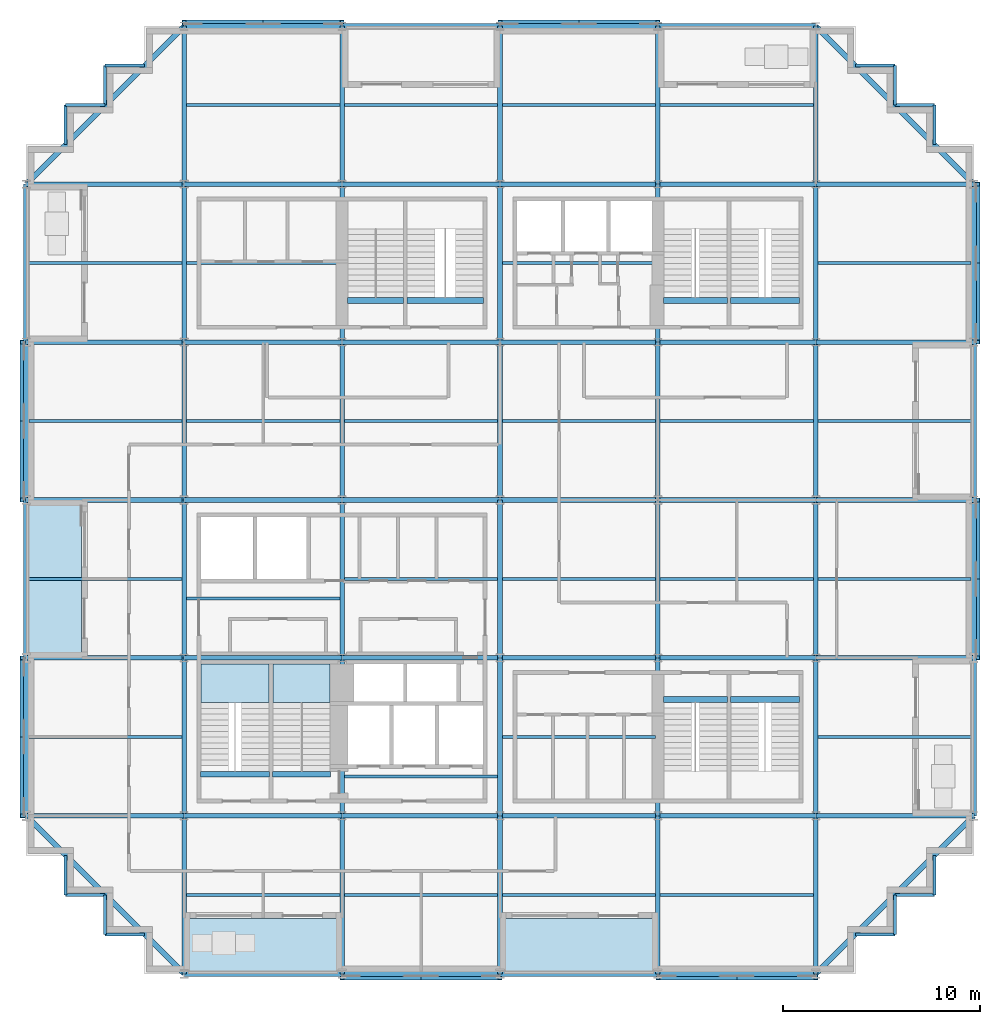
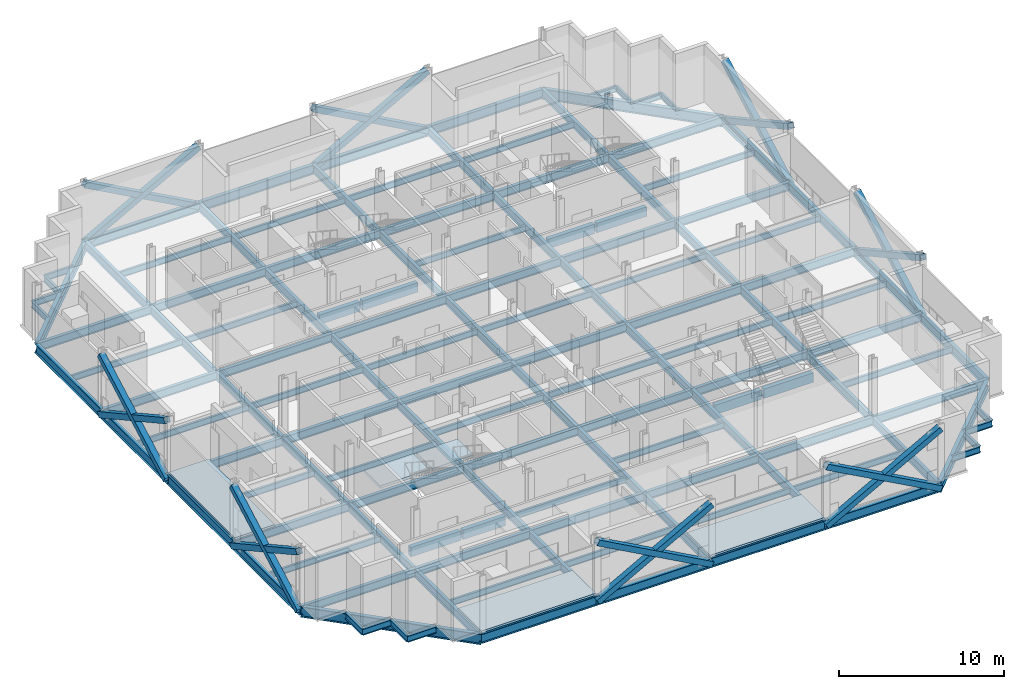
# One storey, part 4 of 15: 132 beams, 16 members, 5 slabs, 2 elements without a shape of their own.
"""IFC4 building model written with IfcOpenShell, lengths in metres."""

import ifcopenshell
import ifcopenshell.guid

model = None  # the IFC model being written
_history = None  # IfcOwnerHistory: only IFC2X3 demands one
_inside = {}  # id of a spatial element -> (the spatial element, [elements in it])
_under = {}  # id of a project, library or spatial element -> (it, [spatial elements below it])
_declared = {}  # id of a project -> (the project, [libraries it declares])
_typed = {}  # id of a type object -> (the type object, [elements of that type])
_made_of = {}  # id of a material, layer set ... -> (it, [elements and type objects made of it])


def new_model(schema):
    """Start an empty IFC model of exactly this schema.

    Asked for "IFC4X3", IfcOpenShell would pick the latest addendum, in which some entities
    have other attributes; the version numbers below select the first issue.
    IFC2X3 requires an IfcOwnerHistory on every rooted entity: one is made here for all.
    """
    global model, _history
    if schema == "IFC4X3":
        model = ifcopenshell.file(schema_version=(4, 3, 0, 0))
    else:
        model = ifcopenshell.file(schema=schema)
    _inside.clear()
    _under.clear()
    _declared.clear()
    _typed.clear()
    _made_of.clear()
    _history = None
    if model.schema == "IFC2X3":
        org = make("IfcOrganization", Name="unknown")
        user = make(
            "IfcPersonAndOrganization",
            ThePerson=make("IfcPerson", FamilyName="unknown"),
            TheOrganization=org,
        )
        app = make(
            "IfcApplication",
            ApplicationDeveloper=org,
            Version="unknown",
            ApplicationFullName="unknown",
            ApplicationIdentifier="unknown",
        )
        _history = make(
            "IfcOwnerHistory",
            OwningUser=user,
            OwningApplication=app,
            ChangeAction="ADDED",
            CreationDate=0,
        )
    return model


def make(cls, **values):
    """One entity of the class cls with the attributes given. An attribute that is None is left unset."""
    return model.create_entity(
        cls, **{name: value for name, value in values.items() if value is not None}
    )


def rooted(cls, **values):
    """An entity with a GlobalId (a new one), such as an element, a storey or a relation."""
    return make(cls, GlobalId=ifcopenshell.guid.new(), OwnerHistory=_history, **values)


def si_unit(unit_type, name, prefix=None):
    """IfcSIUnit, for example si_unit("LENGTHUNIT", "METRE", prefix="MILLI")."""
    return make("IfcSIUnit", UnitType=unit_type, Prefix=prefix, Name=name)


def assignment(units):
    """IfcUnitAssignment: the units of a project."""
    return None if units is None else make("IfcUnitAssignment", Units=units)


def point(xyz):
    """IfcCartesianPoint."""
    return None if xyz is None else make("IfcCartesianPoint", Coordinates=xyz)


def direction(xyz):
    """IfcDirection."""
    return None if xyz is None else make("IfcDirection", DirectionRatios=xyz)


def frame(location, z_axis=None, x_axis=None):
    """IfcAxis2Placement3D, a coordinate frame: its origin and axes. An axis left out is left unset."""
    return make(
        "IfcAxis2Placement3D",
        Location=point(location),
        Axis=direction(z_axis),
        RefDirection=direction(x_axis),
    )


def frame_2d(location, x_axis=None):
    """IfcAxis2Placement2D, a coordinate frame in the plane: its origin and x axis."""
    return make(
        "IfcAxis2Placement2D", Location=point(location), RefDirection=direction(x_axis)
    )


def origin():
    """The frame at (0, 0, 0) with its axes left unset."""
    return frame((0.0, 0.0, 0.0))


def origin_2d():
    """The frame at (0, 0) in the plane with its x axis left unset."""
    return frame_2d((0.0, 0.0))


def place(relative_to, where):
    """IfcLocalPlacement: puts the frame where relative to a parent placement (None: the world)."""
    return make(
        "IfcLocalPlacement", PlacementRelTo=relative_to, RelativePlacement=where
    )


def context(
    kind, dimensions, precision=None, world=None, true_north=None, identifier=None
):
    """IfcGeometricRepresentationContext, for example the 3D "Model" context."""
    return make(
        "IfcGeometricRepresentationContext",
        ContextIdentifier=identifier,
        ContextType=kind,
        CoordinateSpaceDimension=dimensions,
        Precision=precision,
        WorldCoordinateSystem=world,
        TrueNorth=true_north,
    )


def subcontext(parent, identifier, kind, view, scale=None):
    """IfcGeometricRepresentationSubContext, for example "Body" below "Model"."""
    return make(
        "IfcGeometricRepresentationSubContext",
        ContextIdentifier=identifier,
        ContextType=kind,
        ParentContext=parent,
        TargetScale=scale,
        TargetView=view,
    )


def project(units=None, contexts=None):
    """IfcProject with its units and contexts."""
    return rooted(
        "IfcProject",
        Name="project",
        RepresentationContexts=contexts,
        UnitsInContext=assignment(units),
    )


def spatial(cls, under=None, at=None, **own):
    """A site, building, storey or space (cls), placed at a placement, below another one or the project."""
    s = rooted(cls, ObjectPlacement=at, **own)
    if under is not None:
        _under.setdefault(under.id(), (under, []))[1].append(s)
    return s


def polyline(points):
    """IfcPolyline through the points."""
    return make("IfcPolyline", Points=[point(p) for p in points])


def profile(cls, at=None, kind="AREA", **sizes):
    """A parametric profile (cls). Its sizes go by their IFC names, for example OverallWidth=200.0."""
    return make(cls, ProfileType=kind, Position=at, **sizes)


def rectangle(**sizes):
    """IfcRectangleProfileDef."""
    return profile("IfcRectangleProfileDef", **sizes)


def hollow_rectangle(**sizes):
    """IfcRectangleHollowProfileDef."""
    return profile("IfcRectangleHollowProfileDef", **sizes)


def i_section(**sizes):
    """IfcIShapeProfileDef."""
    return profile("IfcIShapeProfileDef", **sizes)


def outline(outer, holes=None, kind="AREA"):
    """IfcArbitraryClosedProfileDef: a profile drawn as a closed curve; with holes, ...WithVoids."""
    if holes is None:
        return make("IfcArbitraryClosedProfileDef", ProfileType=kind, OuterCurve=outer)
    return make(
        "IfcArbitraryProfileDefWithVoids",
        ProfileType=kind,
        OuterCurve=outer,
        InnerCurves=holes,
    )


def extrude(swept, where, along, depth):
    """IfcExtrudedAreaSolid: the profile swept, set in the frame where, extruded along a direction by depth."""
    return make(
        "IfcExtrudedAreaSolid",
        SweptArea=swept,
        Position=where,
        ExtrudedDirection=direction(along),
        Depth=depth,
    )


def shape(context_of_items, identifier, shape_type, items):
    """IfcShapeRepresentation: the items that make up one representation, for example the "Body"."""
    return make(
        "IfcShapeRepresentation",
        ContextOfItems=context_of_items,
        RepresentationIdentifier=identifier,
        RepresentationType=shape_type,
        Items=items,
    )


def material(Name=None, Category=None):
    """IfcMaterial."""
    return make("IfcMaterial", Name=Name, Category=Category)


def layer(
    of_material, thickness, ventilated=None, Name=None, Category=None, Priority=None
):
    """IfcMaterialLayer: one layer of a wall or slab, of a material (None: an air gap)."""
    return make(
        "IfcMaterialLayer",
        Material=of_material,
        LayerThickness=thickness,
        IsVentilated=ventilated,
        Name=Name,
        Category=Category,
        Priority=Priority,
    )


def layer_set(layers, Name=None):
    """IfcMaterialLayerSet."""
    return make("IfcMaterialLayerSet", MaterialLayers=layers, LayerSetName=Name)


def material_profile(
    of_material, cross_section, Name=None, Category=None, Priority=None
):
    """IfcMaterialProfile: a cross section and its material."""
    return make(
        "IfcMaterialProfile",
        Name=Name,
        Material=of_material,
        Profile=cross_section,
        Priority=Priority,
        Category=Category,
    )


def profile_set(profiles, Name=None, composite=None):
    """IfcMaterialProfileSet."""
    return make(
        "IfcMaterialProfileSet",
        Name=Name,
        MaterialProfiles=profiles,
        CompositeProfile=composite,
    )


def made_of(thing, what):
    """Note that an element or type object is made of a material, layer set ...; save() writes the relation."""
    if what is not None:
        _made_of.setdefault(what.id(), (what, []))[1].append(thing)
    return thing


def type_object(cls, material=None, **own):
    """A type object (cls), such as IfcWallType, which elements share."""
    return made_of(rooted(cls, **own), material)


def element(
    cls,
    number,
    at=None,
    inside=None,
    cuts=None,
    type_object=None,
    material=None,
    context=None,
    identifier="Body",
    shape_type=None,
    held_by="IfcProductDefinitionShape",
    body=None,
    shapes=None,
    **own,
):
    """One element of the class cls, such as IfcWall. Its Tag is "e" and its number.

    at: its placement. inside: the storey or other place that contains it. cuts: it is an
    opening in that element (IfcRelVoidsElement). A single representation is given by context,
    identifier, shape_type and body (its items); several are given by shapes. held_by: the class
    of the entity that holds the representations. save() writes the other relations.
    """
    e = rooted(cls, Tag="e%d" % number, ObjectPlacement=at, **own)
    if body is not None:
        shapes = [shape(context, identifier, shape_type, body)]
    if shapes is not None:
        e.Representation = make(held_by, Representations=shapes)
    if inside is not None:
        _inside.setdefault(inside.id(), (inside, []))[1].append(e)
    if cuts is not None:
        rooted(
            "IfcRelVoidsElement", RelatingBuildingElement=cuts, RelatedOpeningElement=e
        )
    if type_object is not None:
        _typed.setdefault(type_object.id(), (type_object, []))[1].append(e)
    return made_of(e, material)


def aggregate(whole, parts):
    """IfcRelAggregates: a whole, such as a stair, and the parts it consists of."""
    return rooted("IfcRelAggregates", RelatingObject=whole, RelatedObjects=parts)


def save(model, path):
    """Write the relations noted so far, then the file.

    IfcRelAggregates (storeys below a building ...), IfcRelContainedInSpatialStructure (elements
    in a storey), IfcRelDefinesByType, IfcRelAssociatesMaterial and IfcRelDeclares: one each for
    every whole, place, type object, material and project.
    """
    for whole, parts in _under.values():
        aggregate(whole, parts)
    for where, things in _inside.values():
        rooted(
            "IfcRelContainedInSpatialStructure",
            RelatedElements=things,
            RelatingStructure=where,
        )
    for kind, things in _typed.values():
        rooted("IfcRelDefinesByType", RelatedObjects=things, RelatingType=kind)
    for what, things in _made_of.values():
        rooted("IfcRelAssociatesMaterial", RelatedObjects=things, RelatingMaterial=what)
    for by, libraries in _declared.values():
        rooted("IfcRelDeclares", RelatingContext=by, RelatedDefinitions=libraries)
    model.write(path)


model = new_model("IFC4")

# Units and contexts
model_context = context("Model", 3, precision=1e-05, world=origin(), true_north=direction((0.0, 1.0)))
body_context = subcontext(model_context, "Body", "Model", "MODEL_VIEW")
ifc_project = project(units=[si_unit("LENGTHUNIT", "METRE"), si_unit("AREAUNIT", "SQUARE_METRE"), si_unit("VOLUMEUNIT", "CUBIC_METRE"), si_unit("PLANEANGLEUNIT", "RADIAN"), si_unit("MASSUNIT", "GRAM", prefix="KILO")], contexts=[model_context])

# Site, building, storey
site_placement = place(None, origin())
site = spatial("IfcSite", under=ifc_project, at=site_placement, CompositionType="ELEMENT")
building_placement = place(site_placement, origin())
building = spatial("IfcBuilding", under=site, at=building_placement, Name="Immortelle Media Tower", CompositionType="ELEMENT")
storey_placement = place(building_placement, frame((0.0, 0.0, 78.800048828125)))
storey = spatial("IfcBuildingStorey", under=building, at=storey_placement, Name="L14", CompositionType="ELEMENT", Elevation=78.800048828125)

# Members
ifc_material_1 = material(Name="Steel ASTM A500 Gr C", Category="steel")
ifc_material_profile_1 = material_profile(ifc_material_1, hollow_rectangle(XDim=0.406005859375, YDim=0.406005859375, WallThickness=0.014892578125, at=origin_2d()), Name="HSS16x16x5/8 brace")
ifc_profile_set_1 = profile_set([ifc_material_profile_1], Name="Steel ASTM A500 Gr C")
member_type = type_object("IfcMemberType", Name="HSS16x16x5/8 brace", PredefinedType="BRACE", material=ifc_profile_set_1)
for number, where, z_axis, x_axis, name in (
    (1, (-0.113037109375, 32.0, -0.49658203125), (0.0, -0.876209133828, 0.481931067474), (1.0, 0.0, 0.0), "Brace 1/D-E A"),
    (2, (-0.113037109375, 32.0, 3.903564453125), (0.0, -0.876209133828, -0.481931067474), (1.0, 0.0, 0.0), "Brace 1/D-E B"),
    (3, (-0.113037109375, 16.0, -0.49658203125), (0.0, -0.876209133828, 0.481931067474), (1.0, 0.0, 0.0), "Brace 1/B-C A"),
    (4, (-0.113037109375, 16.0, 3.903564453125), (0.0, -0.876209133828, -0.481931067474), (1.0, 0.0, 0.0), "Brace 1/B-C B"),
    (5, (16.0, -0.113037109375, -0.49658203125), (0.876209133828, 0.0, 0.481931067474), (0.0, 1.0, 0.0), "Brace A/3-4 A"),
    (6, (16.0, -0.113037109375, 3.903564453125), (0.876209133828, 0.0, -0.481931067474), (0.0, 1.0, 0.0), "Brace A/3-4 B"),
    (7, (32.0, -0.113037109375, -0.49658203125), (0.876209133828, 0.0, 0.481931067474), (0.0, 1.0, 0.0), "Brace A/5-6 A"),
    (8, (32.0, -0.113037109375, 3.903564453125), (0.876209133828, 0.0, -0.481931067474), (0.0, 1.0, 0.0), "Brace A/5-6 B"),
    (9, (48.113037109375, 16.0, -0.49658203125), (0.0, 0.876209133828, 0.481931067474), (-1.0, 0.0, 0.0), "Brace 7/C-D A"),
    (10, (48.113037109375, 16.0, 3.903564453125), (0.0, 0.876209133828, -0.481931067474), (-1.0, 0.0, 0.0), "Brace 7/C-D B"),
    (11, (48.113037109375, 32.0, -0.49658203125), (0.0, 0.876209133828, 0.481931067474), (-1.0, 0.0, 0.0), "Brace 7/E-F A"),
    (12, (48.113037109375, 32.0, 3.903564453125), (0.0, 0.876209133828, -0.481931067474), (-1.0, 0.0, 0.0), "Brace 7/E-F B"),
    (13, (32.0, 48.113037109375, -0.49658203125), (-0.876209133828, 0.0, 0.481931067474), (0.0, -1.0, 0.0), "Brace G/4-5 A"),
    (14, (32.0, 48.113037109375, 3.903564453125), (-0.876209133828, 0.0, -0.481931067474), (0.0, -1.0, 0.0), "Brace G/4-5 B"),
    (15, (16.0, 48.113037109375, -0.49658203125), (-0.876209133828, 0.0, 0.481931067474), (0.0, -1.0, 0.0), "Brace G/2-3 A"),
    (16, (16.0, 48.113037109375, 3.903564453125), (-0.876209133828, 0.0, -0.481931067474), (0.0, -1.0, 0.0), "Brace G/2-3 B"),
):
    element("IfcMember", number, at=place(storey_placement, frame(where, z_axis=z_axis, x_axis=x_axis)), inside=storey, type_object=member_type, Name=name, PredefinedType="BRACE", context=body_context, shape_type="SweptSolid", body=[
        extrude(hollow_rectangle(XDim=0.406005859375, YDim=0.406005859375, WallThickness=0.014892578125, at=origin_2d()), origin(), (0.0, 0.0, 1.0), 9.130126953125),
    ])

# Beams
ifc_material_2 = material(Name="Concrete C50/60", Category="concrete")
ifc_material_profile_2 = material_profile(ifc_material_2, rectangle(XDim=0.300048828125, YDim=0.699951171875, at=origin_2d()), Name="RC 300x700")
ifc_profile_set_2 = profile_set([ifc_material_profile_2], Name="Concrete C50/60")
beam_type_1 = type_object("IfcBeamType", Name="Stair trimmer beam 300 x 700", PredefinedType="BEAM", material=ifc_profile_set_2)
beam_1_placement = place(storey_placement, frame((8.830078125, 10.10498046875, -0.5), z_axis=(1.0, 0.0, 0.0), x_axis=(0.0, 1.0, 0.0)))
element("IfcBeam", 17, at=beam_1_placement, inside=storey, type_object=beam_type_1, Name="Stair trimmer beam SW1", PredefinedType="BEAM", context=body_context, shape_type="SweptSolid", body=[
    extrude(rectangle(XDim=0.300048828125, YDim=0.699951171875, at=origin_2d()), origin(), (0.0, 0.0, 1.0), 3.489990234375),
])
beam_2_placement = place(storey_placement, frame((12.47998046875, 10.10498046875, -0.5), z_axis=(1.0, 0.0, 0.0), x_axis=(0.0, 1.0, 0.0)))
element("IfcBeam", 18, at=beam_2_placement, inside=storey, type_object=beam_type_1, Name="Stair trimmer beam SW2", PredefinedType="BEAM", context=body_context, shape_type="SweptSolid", body=[
    extrude(rectangle(XDim=0.300048828125, YDim=0.699951171875, at=origin_2d()), origin(), (0.0, 0.0, 1.0), 2.93994140625),
])
beam_3_placement = place(storey_placement, frame((32.280029296875, 13.89501953125, -0.5), z_axis=(1.0, 0.0, 0.0), x_axis=(0.0, 1.0, 0.0)))
element("IfcBeam", 19, at=beam_3_placement, inside=storey, type_object=beam_type_1, Name="Stair trimmer beam SE1", PredefinedType="BEAM", context=body_context, shape_type="SweptSolid", body=[
    extrude(rectangle(XDim=0.300048828125, YDim=0.699951171875, at=origin_2d()), origin(), (0.0, 0.0, 1.0), 3.239990234375),
])
beam_4_placement = place(storey_placement, frame((35.679931640625, 13.89501953125, -0.5), z_axis=(1.0, 0.0, 0.0), x_axis=(0.0, 1.0, 0.0)))
element("IfcBeam", 20, at=beam_4_placement, inside=storey, type_object=beam_type_1, Name="Stair trimmer beam SE2", PredefinedType="BEAM", context=body_context, shape_type="SweptSolid", body=[
    extrude(rectangle(XDim=0.300048828125, YDim=0.699951171875, at=origin_2d()), origin(), (0.0, 0.0, 1.0), 3.489990234375),
])
beam_5_placement = place(storey_placement, frame((16.280029296875, 34.10498046875, -0.5), z_axis=(1.0, 0.0, 0.0), x_axis=(0.0, 1.0, 0.0)))
element("IfcBeam", 21, at=beam_5_placement, inside=storey, type_object=beam_type_1, Name="Stair trimmer beam NW1", PredefinedType="BEAM", context=body_context, shape_type="SweptSolid", body=[
    extrude(rectangle(XDim=0.300048828125, YDim=0.699951171875, at=origin_2d()), origin(), (0.0, 0.0, 1.0), 2.840087890625),
])
beam_6_placement = place(storey_placement, frame((19.280029296875, 34.10498046875, -0.5), z_axis=(1.0, 0.0, 0.0), x_axis=(0.0, 1.0, 0.0)))
element("IfcBeam", 22, at=beam_6_placement, inside=storey, type_object=beam_type_1, Name="Stair trimmer beam NW2", PredefinedType="BEAM", context=body_context, shape_type="SweptSolid", body=[
    extrude(rectangle(XDim=0.300048828125, YDim=0.699951171875, at=origin_2d()), origin(), (0.0, 0.0, 1.0), 3.889892578125),
])
beam_7_placement = place(storey_placement, frame((32.280029296875, 34.10498046875, -0.5), z_axis=(1.0, 0.0, 0.0), x_axis=(0.0, 1.0, 0.0)))
element("IfcBeam", 23, at=beam_7_placement, inside=storey, type_object=beam_type_1, Name="Stair trimmer beam NE1", PredefinedType="BEAM", context=body_context, shape_type="SweptSolid", body=[
    extrude(rectangle(XDim=0.300048828125, YDim=0.699951171875, at=origin_2d()), origin(), (0.0, 0.0, 1.0), 3.239990234375),
])
beam_8_placement = place(storey_placement, frame((35.679931640625, 34.10498046875, -0.5), z_axis=(1.0, 0.0, 0.0), x_axis=(0.0, 1.0, 0.0)))
element("IfcBeam", 24, at=beam_8_placement, inside=storey, type_object=beam_type_1, Name="Stair trimmer beam NE2", PredefinedType="BEAM", context=body_context, shape_type="SweptSolid", body=[
    extrude(rectangle(XDim=0.300048828125, YDim=0.699951171875, at=origin_2d()), origin(), (0.0, 0.0, 1.0), 3.489990234375),
])
ifc_material_3 = material(Name="Steel ASTM A992 Gr 50", Category="steel")
ifc_material_profile_3 = material_profile(ifc_material_3, i_section(OverallWidth=0.153076171875, OverallDepth=0.455078125, WebThickness=0.008056640625, FlangeThickness=0.012939453125, at=origin_2d()), Name="W18x40")
ifc_profile_set_3 = profile_set([ifc_material_profile_3], Name="Steel ASTM A992 Gr 50")
beam_type_2 = type_object("IfcBeamType", Name="W18x40 secondary beam", PredefinedType="JOIST", material=ifc_profile_set_3)
for number, where, z_axis, x_axis, name in (
    (25, (8.114501953125, 4.0, -0.37744140625), (1.0, 0.0, 0.0), (0.0, 1.0, 0.0), "Beam A-B/2-3"),
    (26, (16.114501953125, 4.0, -0.37744140625), (1.0, 0.0, 0.0), (0.0, 1.0, 0.0), "Beam A-B/3-4"),
    (27, (24.114501953125, 4.0, -0.37744140625), (1.0, 0.0, 0.0), (0.0, 1.0, 0.0), "Beam A-B/4-5"),
    (28, (32.114501953125, 4.0, -0.37744140625), (1.0, 0.0, 0.0), (0.0, 1.0, 0.0), "Beam A-B/5-6"),
):
    element("IfcBeam", number, at=place(storey_placement, frame(where, z_axis=z_axis, x_axis=x_axis)), inside=storey, type_object=beam_type_2, Name=name, PredefinedType="JOIST", context=body_context, shape_type="SweptSolid", body=[
        extrude(i_section(OverallWidth=0.153076171875, OverallDepth=0.455078125, WebThickness=0.008056640625, FlangeThickness=0.012939453125, at=origin_2d()), origin(), (0.0, 0.0, 1.0), 7.77099609375),
    ])
beam_9_placement = place(storey_placement, frame((0.12841796875, 12.0, -0.37744140625), z_axis=(1.0, 0.0, 0.0), x_axis=(0.0, 1.0, 0.0)))
element("IfcBeam", 29, at=beam_9_placement, inside=storey, type_object=beam_type_2, Name="Beam B-C/1-2", PredefinedType="JOIST", context=body_context, shape_type="SweptSolid", body=[
    extrude(i_section(OverallWidth=0.153076171875, OverallDepth=0.455078125, WebThickness=0.008056640625, FlangeThickness=0.012939453125, at=origin_2d()), origin(), (0.0, 0.0, 1.0), 7.757080078125),
])
for number, where, z_axis, x_axis, name in (
    (30, (16.114501953125, 10.0, -0.37744140625), (1.0, 0.0, 0.0), (0.0, 1.0, 0.0), "Beam B-C/3-4"),
    (31, (24.114501953125, 12.0, -0.37744140625), (1.0, 0.0, 0.0), (0.0, 1.0, 0.0), "Beam B-C/4-5"),
):
    element("IfcBeam", number, at=place(storey_placement, frame(where, z_axis=z_axis, x_axis=x_axis)), inside=storey, type_object=beam_type_2, Name=name, PredefinedType="JOIST", context=body_context, shape_type="SweptSolid", body=[
        extrude(i_section(OverallWidth=0.153076171875, OverallDepth=0.455078125, WebThickness=0.008056640625, FlangeThickness=0.012939453125, at=origin_2d()), origin(), (0.0, 0.0, 1.0), 7.77099609375),
    ])
for number, where, z_axis, x_axis, name in (
    (32, (40.114501953125, 12.0, -0.37744140625), (1.0, 0.0, 0.0), (0.0, 1.0, 0.0), "Beam B-C/6-7"),
    (33, (0.12841796875, 20.0, -0.37744140625), (1.0, 0.0, 0.0), (0.0, 1.0, 0.0), "Beam C-D/1-2"),
):
    element("IfcBeam", number, at=place(storey_placement, frame(where, z_axis=z_axis, x_axis=x_axis)), inside=storey, type_object=beam_type_2, Name=name, PredefinedType="JOIST", context=body_context, shape_type="SweptSolid", body=[
        extrude(i_section(OverallWidth=0.153076171875, OverallDepth=0.455078125, WebThickness=0.008056640625, FlangeThickness=0.012939453125, at=origin_2d()), origin(), (0.0, 0.0, 1.0), 7.757080078125),
    ])
for number, where, z_axis, x_axis, name in (
    (34, (8.114501953125, 19.0, -0.37744140625), (1.0, 0.0, 0.0), (0.0, 1.0, 0.0), "Beam C-D/2-3"),
    (35, (16.114501953125, 20.0, -0.37744140625), (1.0, 0.0, 0.0), (0.0, 1.0, 0.0), "Beam C-D/3-4"),
    (36, (24.114501953125, 20.0, -0.37744140625), (1.0, 0.0, 0.0), (0.0, 1.0, 0.0), "Beam C-D/4-5"),
    (37, (32.114501953125, 20.0, -0.37744140625), (1.0, 0.0, 0.0), (0.0, 1.0, 0.0), "Beam C-D/5-6"),
):
    element("IfcBeam", number, at=place(storey_placement, frame(where, z_axis=z_axis, x_axis=x_axis)), inside=storey, type_object=beam_type_2, Name=name, PredefinedType="JOIST", context=body_context, shape_type="SweptSolid", body=[
        extrude(i_section(OverallWidth=0.153076171875, OverallDepth=0.455078125, WebThickness=0.008056640625, FlangeThickness=0.012939453125, at=origin_2d()), origin(), (0.0, 0.0, 1.0), 7.77099609375),
    ])
for number, where, z_axis, x_axis, name in (
    (38, (40.114501953125, 20.0, -0.37744140625), (1.0, 0.0, 0.0), (0.0, 1.0, 0.0), "Beam C-D/6-7"),
    (39, (0.12841796875, 28.0, -0.37744140625), (1.0, 0.0, 0.0), (0.0, 1.0, 0.0), "Beam D-E/1-2"),
):
    element("IfcBeam", number, at=place(storey_placement, frame(where, z_axis=z_axis, x_axis=x_axis)), inside=storey, type_object=beam_type_2, Name=name, PredefinedType="JOIST", context=body_context, shape_type="SweptSolid", body=[
        extrude(i_section(OverallWidth=0.153076171875, OverallDepth=0.455078125, WebThickness=0.008056640625, FlangeThickness=0.012939453125, at=origin_2d()), origin(), (0.0, 0.0, 1.0), 7.757080078125),
    ])
for number, where, z_axis, x_axis, name in (
    (40, (8.114501953125, 28.0, -0.37744140625), (1.0, 0.0, 0.0), (0.0, 1.0, 0.0), "Beam D-E/2-3"),
    (41, (16.114501953125, 28.0, -0.37744140625), (1.0, 0.0, 0.0), (0.0, 1.0, 0.0), "Beam D-E/3-4"),
    (42, (24.114501953125, 28.0, -0.37744140625), (1.0, 0.0, 0.0), (0.0, 1.0, 0.0), "Beam D-E/4-5"),
    (43, (32.114501953125, 28.0, -0.37744140625), (1.0, 0.0, 0.0), (0.0, 1.0, 0.0), "Beam D-E/5-6"),
):
    element("IfcBeam", number, at=place(storey_placement, frame(where, z_axis=z_axis, x_axis=x_axis)), inside=storey, type_object=beam_type_2, Name=name, PredefinedType="JOIST", context=body_context, shape_type="SweptSolid", body=[
        extrude(i_section(OverallWidth=0.153076171875, OverallDepth=0.455078125, WebThickness=0.008056640625, FlangeThickness=0.012939453125, at=origin_2d()), origin(), (0.0, 0.0, 1.0), 7.77099609375),
    ])
for number, where, z_axis, x_axis, name in (
    (44, (40.114501953125, 28.0, -0.37744140625), (1.0, 0.0, 0.0), (0.0, 1.0, 0.0), "Beam D-E/6-7"),
    (45, (0.12841796875, 36.0, -0.37744140625), (1.0, 0.0, 0.0), (0.0, 1.0, 0.0), "Beam E-F/1-2"),
):
    element("IfcBeam", number, at=place(storey_placement, frame(where, z_axis=z_axis, x_axis=x_axis)), inside=storey, type_object=beam_type_2, Name=name, PredefinedType="JOIST", context=body_context, shape_type="SweptSolid", body=[
        extrude(i_section(OverallWidth=0.153076171875, OverallDepth=0.455078125, WebThickness=0.008056640625, FlangeThickness=0.012939453125, at=origin_2d()), origin(), (0.0, 0.0, 1.0), 7.757080078125),
    ])
for number, where, z_axis, x_axis, name in (
    (46, (8.114501953125, 36.0, -0.37744140625), (1.0, 0.0, 0.0), (0.0, 1.0, 0.0), "Beam E-F/2-3"),
    (47, (24.114501953125, 36.0, -0.37744140625), (1.0, 0.0, 0.0), (0.0, 1.0, 0.0), "Beam E-F/4-5"),
):
    element("IfcBeam", number, at=place(storey_placement, frame(where, z_axis=z_axis, x_axis=x_axis)), inside=storey, type_object=beam_type_2, Name=name, PredefinedType="JOIST", context=body_context, shape_type="SweptSolid", body=[
        extrude(i_section(OverallWidth=0.153076171875, OverallDepth=0.455078125, WebThickness=0.008056640625, FlangeThickness=0.012939453125, at=origin_2d()), origin(), (0.0, 0.0, 1.0), 7.77099609375),
    ])
beam_10_placement = place(storey_placement, frame((40.114501953125, 36.0, -0.37744140625), z_axis=(1.0, 0.0, 0.0), x_axis=(0.0, 1.0, 0.0)))
element("IfcBeam", 48, at=beam_10_placement, inside=storey, type_object=beam_type_2, Name="Beam E-F/6-7", PredefinedType="JOIST", context=body_context, shape_type="SweptSolid", body=[
    extrude(i_section(OverallWidth=0.153076171875, OverallDepth=0.455078125, WebThickness=0.008056640625, FlangeThickness=0.012939453125, at=origin_2d()), origin(), (0.0, 0.0, 1.0), 7.757080078125),
])
for number, where, z_axis, x_axis, name in (
    (49, (8.114501953125, 44.0, -0.37744140625), (1.0, 0.0, 0.0), (0.0, 1.0, 0.0), "Beam F-G/2-3"),
    (50, (16.114501953125, 44.0, -0.37744140625), (1.0, 0.0, 0.0), (0.0, 1.0, 0.0), "Beam F-G/3-4"),
    (51, (24.114501953125, 44.0, -0.37744140625), (1.0, 0.0, 0.0), (0.0, 1.0, 0.0), "Beam F-G/4-5"),
    (52, (32.114501953125, 44.0, -0.37744140625), (1.0, 0.0, 0.0), (0.0, 1.0, 0.0), "Beam F-G/5-6"),
):
    element("IfcBeam", number, at=place(storey_placement, frame(where, z_axis=z_axis, x_axis=x_axis)), inside=storey, type_object=beam_type_2, Name=name, PredefinedType="JOIST", context=body_context, shape_type="SweptSolid", body=[
        extrude(i_section(OverallWidth=0.153076171875, OverallDepth=0.455078125, WebThickness=0.008056640625, FlangeThickness=0.012939453125, at=origin_2d()), origin(), (0.0, 0.0, 1.0), 7.77099609375),
    ])
ifc_material_profile_4 = material_profile(ifc_material_3, i_section(OverallWidth=0.153076171875, OverallDepth=0.455078125, WebThickness=0.008056640625, FlangeThickness=0.012939453125, at=origin_2d()), Name="W18x40")
ifc_profile_set_4 = profile_set([ifc_material_profile_4], Name="Steel ASTM A992 Gr 50")
beam_type_3 = type_object("IfcBeamType", Name="W18x40 serration edge beam", PredefinedType="SPANDREL", material=ifc_profile_set_4)
for number, where, z_axis, x_axis, name in (
    (53, (6.0, 2.0, -0.37744140625), (-1.0, 0.0, 0.0), (0.0, -1.0, 0.0), "Corner edge beam 1 at 1/A"),
    (54, (4.0, 2.0, -0.37744140625), (0.0, 1.0, 0.0), (-1.0, 0.0, 0.0), "Corner edge beam 2 at 1/A"),
    (55, (4.0, 4.0, -0.37744140625), (-1.0, 0.0, 0.0), (0.0, -1.0, 0.0), "Corner edge beam 3 at 1/A"),
    (56, (2.0, 4.0, -0.37744140625), (0.0, 1.0, 0.0), (-1.0, 0.0, 0.0), "Corner edge beam 4 at 1/A"),
    (57, (2.0, 42.0, -0.37744140625), (0.0, 1.0, 0.0), (-1.0, 0.0, 0.0), "Corner edge beam 1 at 1/G"),
    (58, (2.0, 44.0, -0.37744140625), (1.0, 0.0, 0.0), (0.0, 1.0, 0.0), "Corner edge beam 2 at 1/G"),
    (59, (4.0, 44.0, -0.37744140625), (0.0, 1.0, 0.0), (-1.0, 0.0, 0.0), "Corner edge beam 3 at 1/G"),
    (60, (4.0, 46.0, -0.37744140625), (1.0, 0.0, 0.0), (0.0, 1.0, 0.0), "Corner edge beam 4 at 1/G"),
    (61, (46.0, 6.0, -0.37744140625), (0.0, -1.0, 0.0), (1.0, 0.0, 0.0), "Corner edge beam 1 at 7/A"),
    (62, (46.0, 4.0, -0.37744140625), (-1.0, 0.0, 0.0), (0.0, -1.0, 0.0), "Corner edge beam 2 at 7/A"),
    (63, (44.0, 4.0, -0.37744140625), (0.0, -1.0, 0.0), (1.0, 0.0, 0.0), "Corner edge beam 3 at 7/A"),
    (64, (44.0, 2.0, -0.37744140625), (-1.0, 0.0, 0.0), (0.0, -1.0, 0.0), "Corner edge beam 4 at 7/A"),
    (65, (42.0, 46.0, -0.37744140625), (1.0, 0.0, 0.0), (0.0, 1.0, 0.0), "Corner edge beam 1 at 7/G"),
    (66, (44.0, 46.0, -0.37744140625), (0.0, -1.0, 0.0), (1.0, 0.0, 0.0), "Corner edge beam 2 at 7/G"),
    (67, (44.0, 44.0, -0.37744140625), (1.0, 0.0, 0.0), (0.0, 1.0, 0.0), "Corner edge beam 3 at 7/G"),
    (68, (46.0, 44.0, -0.37744140625), (0.0, -1.0, 0.0), (1.0, 0.0, 0.0), "Corner edge beam 4 at 7/G"),
):
    element("IfcBeam", number, at=place(storey_placement, frame(where, z_axis=z_axis, x_axis=x_axis)), inside=storey, type_object=beam_type_3, Name=name, PredefinedType="SPANDREL", context=body_context, shape_type="SweptSolid", body=[
        extrude(i_section(OverallWidth=0.153076171875, OverallDepth=0.455078125, WebThickness=0.008056640625, FlangeThickness=0.012939453125, at=origin_2d()), origin(), (0.0, 0.0, 1.0), 2.0),
    ])
ifc_material_profile_5 = material_profile(ifc_material_3, i_section(OverallWidth=0.22900390625, OverallDepth=0.612060546875, WebThickness=0.011962890625, FlangeThickness=0.02001953125, at=origin_2d()), Name="W24x84")
ifc_profile_set_5 = profile_set([ifc_material_profile_5], Name="Steel ASTM A992 Gr 50")
beam_type_4 = type_object("IfcBeamType", Name="W24x84 girder", PredefinedType="BEAM", material=ifc_profile_set_5)
for number, where, z_axis, x_axis, name in (
    (69, (0.0, 8.0, -0.4560546875), (1.0, 0.0, 0.0), (0.0, 1.0, 0.0), "Girder B/1-2"),
    (70, (0.0, 16.0, -0.4560546875), (1.0, 0.0, 0.0), (0.0, 1.0, 0.0), "Girder C/1-2"),
    (71, (0.0, 24.0, -0.4560546875), (1.0, 0.0, 0.0), (0.0, 1.0, 0.0), "Girder D/1-2"),
    (72, (0.0, 32.0, -0.4560546875), (1.0, 0.0, 0.0), (0.0, 1.0, 0.0), "Girder E/1-2"),
    (73, (0.0, 40.0, -0.4560546875), (1.0, 0.0, 0.0), (0.0, 1.0, 0.0), "Girder F/1-2"),
    (74, (8.0, 0.0, -0.4560546875), (0.0, 1.0, 0.0), (-1.0, 0.0, 0.0), "Girder 2/A-B"),
    (75, (8.0, 8.0, -0.4560546875), (1.0, 0.0, 0.0), (0.0, 1.0, 0.0), "Girder B/2-3"),
    (76, (8.0, 8.0, -0.4560546875), (0.0, 1.0, 0.0), (-1.0, 0.0, 0.0), "Girder 2/B-C"),
    (77, (8.0, 16.0, -0.4560546875), (1.0, 0.0, 0.0), (0.0, 1.0, 0.0), "Girder C/2-3"),
    (78, (8.0, 16.0, -0.4560546875), (0.0, 1.0, 0.0), (-1.0, 0.0, 0.0), "Girder 2/C-D"),
    (79, (8.0, 24.0, -0.4560546875), (1.0, 0.0, 0.0), (0.0, 1.0, 0.0), "Girder D/2-3"),
    (80, (8.0, 24.0, -0.4560546875), (0.0, 1.0, 0.0), (-1.0, 0.0, 0.0), "Girder 2/D-E"),
    (81, (8.0, 32.0, -0.4560546875), (1.0, 0.0, 0.0), (0.0, 1.0, 0.0), "Girder E/2-3"),
    (82, (8.0, 32.0, -0.4560546875), (0.0, 1.0, 0.0), (-1.0, 0.0, 0.0), "Girder 2/E-F"),
    (83, (8.0, 40.0, -0.4560546875), (1.0, 0.0, 0.0), (0.0, 1.0, 0.0), "Girder F/2-3"),
    (84, (8.0, 40.0, -0.4560546875), (0.0, 1.0, 0.0), (-1.0, 0.0, 0.0), "Girder 2/F-G"),
    (85, (16.0, 0.0, -0.4560546875), (0.0, 1.0, 0.0), (-1.0, 0.0, 0.0), "Girder 3/A-B"),
    (86, (16.0, 8.0, -0.4560546875), (1.0, 0.0, 0.0), (0.0, 1.0, 0.0), "Girder B/3-4"),
    (87, (16.0, 8.0, -0.4560546875), (0.0, 1.0, 0.0), (-1.0, 0.0, 0.0), "Girder 3/B-C"),
    (88, (16.0, 16.0, -0.4560546875), (1.0, 0.0, 0.0), (0.0, 1.0, 0.0), "Girder C/3-4"),
    (89, (16.0, 16.0, -0.4560546875), (0.0, 1.0, 0.0), (-1.0, 0.0, 0.0), "Girder 3/C-D"),
    (90, (16.0, 24.0, -0.4560546875), (1.0, 0.0, 0.0), (0.0, 1.0, 0.0), "Girder D/3-4"),
    (91, (16.0, 24.0, -0.4560546875), (0.0, 1.0, 0.0), (-1.0, 0.0, 0.0), "Girder 3/D-E"),
    (92, (16.0, 32.0, -0.4560546875), (1.0, 0.0, 0.0), (0.0, 1.0, 0.0), "Girder E/3-4"),
    (93, (16.0, 32.0, -0.4560546875), (0.0, 1.0, 0.0), (-1.0, 0.0, 0.0), "Girder 3/E-F"),
    (94, (16.0, 40.0, -0.4560546875), (1.0, 0.0, 0.0), (0.0, 1.0, 0.0), "Girder F/3-4"),
    (95, (16.0, 40.0, -0.4560546875), (0.0, 1.0, 0.0), (-1.0, 0.0, 0.0), "Girder 3/F-G"),
    (96, (24.0, 0.0, -0.4560546875), (0.0, 1.0, 0.0), (-1.0, 0.0, 0.0), "Girder 4/A-B"),
    (97, (24.0, 8.0, -0.4560546875), (1.0, 0.0, 0.0), (0.0, 1.0, 0.0), "Girder B/4-5"),
    (98, (24.0, 8.0, -0.4560546875), (0.0, 1.0, 0.0), (-1.0, 0.0, 0.0), "Girder 4/B-C"),
    (99, (24.0, 16.0, -0.4560546875), (1.0, 0.0, 0.0), (0.0, 1.0, 0.0), "Girder C/4-5"),
    (100, (24.0, 16.0, -0.4560546875), (0.0, 1.0, 0.0), (-1.0, 0.0, 0.0), "Girder 4/C-D"),
    (101, (24.0, 24.0, -0.4560546875), (1.0, 0.0, 0.0), (0.0, 1.0, 0.0), "Girder D/4-5"),
    (102, (24.0, 24.0, -0.4560546875), (0.0, 1.0, 0.0), (-1.0, 0.0, 0.0), "Girder 4/D-E"),
    (103, (24.0, 32.0, -0.4560546875), (1.0, 0.0, 0.0), (0.0, 1.0, 0.0), "Girder E/4-5"),
    (104, (24.0, 32.0, -0.4560546875), (0.0, 1.0, 0.0), (-1.0, 0.0, 0.0), "Girder 4/E-F"),
    (105, (24.0, 40.0, -0.4560546875), (1.0, 0.0, 0.0), (0.0, 1.0, 0.0), "Girder F/4-5"),
    (106, (24.0, 40.0, -0.4560546875), (0.0, 1.0, 0.0), (-1.0, 0.0, 0.0), "Girder 4/F-G"),
    (107, (32.0, 0.0, -0.4560546875), (0.0, 1.0, 0.0), (-1.0, 0.0, 0.0), "Girder 5/A-B"),
    (108, (32.0, 8.0, -0.4560546875), (1.0, 0.0, 0.0), (0.0, 1.0, 0.0), "Girder B/5-6"),
    (109, (32.0, 8.0, -0.4560546875), (0.0, 1.0, 0.0), (-1.0, 0.0, 0.0), "Girder 5/B-C"),
    (110, (32.0, 16.0, -0.4560546875), (1.0, 0.0, 0.0), (0.0, 1.0, 0.0), "Girder C/5-6"),
    (111, (32.0, 16.0, -0.4560546875), (0.0, 1.0, 0.0), (-1.0, 0.0, 0.0), "Girder 5/C-D"),
    (112, (32.0, 24.0, -0.4560546875), (1.0, 0.0, 0.0), (0.0, 1.0, 0.0), "Girder D/5-6"),
    (113, (32.0, 24.0, -0.4560546875), (0.0, 1.0, 0.0), (-1.0, 0.0, 0.0), "Girder 5/D-E"),
    (114, (32.0, 32.0, -0.4560546875), (1.0, 0.0, 0.0), (0.0, 1.0, 0.0), "Girder E/5-6"),
    (115, (32.0, 32.0, -0.4560546875), (0.0, 1.0, 0.0), (-1.0, 0.0, 0.0), "Girder 5/E-F"),
    (116, (32.0, 40.0, -0.4560546875), (1.0, 0.0, 0.0), (0.0, 1.0, 0.0), "Girder F/5-6"),
    (117, (32.0, 40.0, -0.4560546875), (0.0, 1.0, 0.0), (-1.0, 0.0, 0.0), "Girder 5/F-G"),
    (118, (40.0, 0.0, -0.4560546875), (0.0, 1.0, 0.0), (-1.0, 0.0, 0.0), "Girder 6/A-B"),
    (119, (40.0, 8.0, -0.4560546875), (1.0, 0.0, 0.0), (0.0, 1.0, 0.0), "Girder B/6-7"),
    (120, (40.0, 8.0, -0.4560546875), (0.0, 1.0, 0.0), (-1.0, 0.0, 0.0), "Girder 6/B-C"),
    (121, (40.0, 16.0, -0.4560546875), (1.0, 0.0, 0.0), (0.0, 1.0, 0.0), "Girder C/6-7"),
    (122, (40.0, 16.0, -0.4560546875), (0.0, 1.0, 0.0), (-1.0, 0.0, 0.0), "Girder 6/C-D"),
    (123, (40.0, 24.0, -0.4560546875), (1.0, 0.0, 0.0), (0.0, 1.0, 0.0), "Girder D/6-7"),
    (124, (40.0, 24.0, -0.4560546875), (0.0, 1.0, 0.0), (-1.0, 0.0, 0.0), "Girder 6/D-E"),
    (125, (40.0, 32.0, -0.4560546875), (1.0, 0.0, 0.0), (0.0, 1.0, 0.0), "Girder E/6-7"),
    (126, (40.0, 32.0, -0.4560546875), (0.0, 1.0, 0.0), (-1.0, 0.0, 0.0), "Girder 6/E-F"),
    (127, (40.0, 40.0, -0.4560546875), (1.0, 0.0, 0.0), (0.0, 1.0, 0.0), "Girder F/6-7"),
    (128, (40.0, 40.0, -0.4560546875), (0.0, 1.0, 0.0), (-1.0, 0.0, 0.0), "Girder 6/F-G"),
):
    element("IfcBeam", number, at=place(storey_placement, frame(where, z_axis=z_axis, x_axis=x_axis)), inside=storey, type_object=beam_type_4, Name=name, PredefinedType="BEAM", context=body_context, shape_type="SweptSolid", body=[
        extrude(i_section(OverallWidth=0.22900390625, OverallDepth=0.612060546875, WebThickness=0.011962890625, FlangeThickness=0.02001953125, at=origin_2d()), origin(), (0.0, 0.0, 1.0), 8.0),
    ])
ifc_material_profile_6 = material_profile(ifc_material_3, i_section(OverallWidth=0.257080078125, OverallDepth=0.693115234375, WebThickness=0.013916015625, FlangeThickness=0.02392578125, at=origin_2d()), Name="W27x114")
ifc_profile_set_6 = profile_set([ifc_material_profile_6], Name="Steel ASTM A992 Gr 50")
beam_type_5 = type_object("IfcBeamType", Name="W27x114 perimeter girder", PredefinedType="SPANDREL", material=ifc_profile_set_6)
for number, where, z_axis, x_axis, name in (
    (129, (0.0, 8.0, -0.49658203125), (0.0, 1.0, 0.0), (-1.0, 0.0, 0.0), "Girder 1/B-C"),
    (130, (0.0, 16.0, -0.49658203125), (0.0, 1.0, 0.0), (-1.0, 0.0, 0.0), "Girder 1/C-D"),
    (131, (0.0, 24.0, -0.49658203125), (0.0, 1.0, 0.0), (-1.0, 0.0, 0.0), "Girder 1/D-E"),
    (132, (0.0, 32.0, -0.49658203125), (0.0, 1.0, 0.0), (-1.0, 0.0, 0.0), "Girder 1/E-F"),
    (133, (8.0, 0.0, -0.49658203125), (1.0, 0.0, 0.0), (0.0, 1.0, 0.0), "Girder A/2-3"),
    (134, (8.0, 48.0, -0.49658203125), (1.0, 0.0, 0.0), (0.0, 1.0, 0.0), "Girder G/2-3"),
    (135, (16.0, 0.0, -0.49658203125), (1.0, 0.0, 0.0), (0.0, 1.0, 0.0), "Girder A/3-4"),
    (136, (16.0, 48.0, -0.49658203125), (1.0, 0.0, 0.0), (0.0, 1.0, 0.0), "Girder G/3-4"),
    (137, (24.0, 0.0, -0.49658203125), (1.0, 0.0, 0.0), (0.0, 1.0, 0.0), "Girder A/4-5"),
    (138, (24.0, 48.0, -0.49658203125), (1.0, 0.0, 0.0), (0.0, 1.0, 0.0), "Girder G/4-5"),
    (139, (32.0, 0.0, -0.49658203125), (1.0, 0.0, 0.0), (0.0, 1.0, 0.0), "Girder A/5-6"),
    (140, (32.0, 48.0, -0.49658203125), (1.0, 0.0, 0.0), (0.0, 1.0, 0.0), "Girder G/5-6"),
    (141, (48.0, 8.0, -0.49658203125), (0.0, 1.0, 0.0), (-1.0, 0.0, 0.0), "Girder 7/B-C"),
    (142, (48.0, 16.0, -0.49658203125), (0.0, 1.0, 0.0), (-1.0, 0.0, 0.0), "Girder 7/C-D"),
    (143, (48.0, 24.0, -0.49658203125), (0.0, 1.0, 0.0), (-1.0, 0.0, 0.0), "Girder 7/D-E"),
    (144, (48.0, 32.0, -0.49658203125), (0.0, 1.0, 0.0), (-1.0, 0.0, 0.0), "Girder 7/E-F"),
):
    element("IfcBeam", number, at=place(storey_placement, frame(where, z_axis=z_axis, x_axis=x_axis)), inside=storey, type_object=beam_type_5, Name=name, PredefinedType="SPANDREL", context=body_context, shape_type="SweptSolid", body=[
        extrude(i_section(OverallWidth=0.257080078125, OverallDepth=0.693115234375, WebThickness=0.013916015625, FlangeThickness=0.02392578125, at=origin_2d()), origin(), (0.0, 0.0, 1.0), 8.0),
    ])
ifc_material_profile_7 = material_profile(ifc_material_3, i_section(OverallWidth=0.26708984375, OverallDepth=0.780029296875, WebThickness=0.01708984375, FlangeThickness=0.030029296875, at=origin_2d()), Name="W30x148")
ifc_profile_set_7 = profile_set([ifc_material_profile_7], Name="Steel ASTM A992 Gr 50")
beam_type_6 = type_object("IfcBeamType", Name="W30x148 corner girder", PredefinedType="SPANDREL", material=ifc_profile_set_7)
for number, where, z_axis, x_axis, name in (
    (145, (8.0, 0.0, -0.5400390625), (-0.707106781187, 0.707106781187, 0.0), (-0.707106781187, -0.707106781187, 0.0), "Corner girder at 1/A"),
    (146, (0.0, 40.0, -0.5400390625), (0.707106781187, 0.707106781187, 0.0), (-0.707106781187, 0.707106781187, 0.0), "Corner girder at 1/G"),
    (147, (48.0, 8.0, -0.5400390625), (-0.707106781187, -0.707106781187, 0.0), (0.707106781187, -0.707106781187, 0.0), "Corner girder at 7/A"),
    (148, (40.0, 48.0, -0.5400390625), (0.707106781187, -0.707106781187, 0.0), (0.707106781187, 0.707106781187, 0.0), "Corner girder at 7/G"),
):
    element("IfcBeam", number, at=place(storey_placement, frame(where, z_axis=z_axis, x_axis=x_axis)), inside=storey, type_object=beam_type_6, Name=name, PredefinedType="SPANDREL", context=body_context, shape_type="SweptSolid", body=[
        extrude(i_section(OverallWidth=0.26708984375, OverallDepth=0.780029296875, WebThickness=0.01708984375, FlangeThickness=0.030029296875, at=origin_2d()), origin(), (0.0, 0.0, 1.0), 11.313720703125),
    ])

# Slabs
ifc_material_4 = material(Name="Concrete C50/60 composite deck", Category="concrete")
ifc_layer_1 = layer(ifc_material_4, 0.14990234375)
ifc_layer_set_1 = layer_set([ifc_layer_1], Name="Concrete C50/60 composite deck")
slab_type_1 = type_object("IfcSlabType", Name="Balcony slab 150", PredefinedType="FLOOR", material=ifc_layer_set_1)
slab_1_placement = place(storey_placement, frame((0.0, 0.0, -0.150146484375)))
element("IfcSlab", 149, at=slab_1_placement, inside=storey, type_object=slab_type_1, Name="Balcony slab L14 W2", PredefinedType="FLOOR", context=body_context, shape_type="SweptSolid", body=[
    extrude(outline(polyline([(2.800048828125, 16.0), (2.800048828125, 24.0), (0.0, 24.0), (0.0, 16.0), (2.800048828125, 16.0)])), origin(), (0.0, 0.0, 1.0), 0.150146484375),
])
slab_2_placement = place(storey_placement, frame((0.0, 0.0, -0.150146484375)))
element("IfcSlab", 150, at=slab_2_placement, inside=storey, type_object=slab_type_1, Name="Balcony slab L14 S0", PredefinedType="FLOOR", context=body_context, shape_type="SweptSolid", body=[
    extrude(outline(polyline([(16.0, 0.0), (16.0, 2.800048828125), (8.0, 2.800048828125), (8.0, 0.0), (16.0, 0.0)])), origin(), (0.0, 0.0, 1.0), 0.150146484375),
])
slab_3_placement = place(storey_placement, frame((0.0, 0.0, -0.150146484375)))
element("IfcSlab", 151, at=slab_3_placement, inside=storey, type_object=slab_type_1, Name="Balcony slab L14 S2", PredefinedType="FLOOR", context=body_context, shape_type="SweptSolid", body=[
    extrude(outline(polyline([(32.0, 0.0), (32.0, 2.800048828125), (24.0, 2.800048828125), (24.0, 0.0), (32.0, 0.0)])), origin(), (0.0, 0.0, 1.0), 0.150146484375),
])

# Stair, slab
stair_type = type_object("IfcStairType", Name="Stair with flights", PredefinedType="DOUBLE_RETURN_STAIR", material=ifc_material_3)
stair_1_placement = place(storey_placement, origin())
stair_1 = element("IfcStair", 152, at=stair_1_placement, inside=storey, type_object=stair_type, Name="Exit stair SW1", PredefinedType="DOUBLE_RETURN_STAIR")
ifc_material_5 = material(Name="Steel ASTM A572 Gr 50", Category="steel")
ifc_layer_2 = layer(ifc_material_5, 0.199951171875)
ifc_layer_set_2 = layer_set([ifc_layer_2], Name="Steel ASTM A572 Gr 50")
slab_type_2 = type_object("IfcSlabType", Name="Stair landing 200", PredefinedType="LANDING", material=ifc_layer_set_2)
slab_4_placement = place(storey_placement, frame((0.0, 0.0, 1.911865234375)))
slab_4 = element("IfcSlab", 153, at=slab_4_placement, type_object=slab_type_2, Name="ST SW1 landing 1", PredefinedType="LANDING", context=body_context, shape_type="SweptSolid", body=[
    extrude(outline(polyline([(8.85009765625, 13.72998046875), (12.300048828125, 13.72998046875), (12.300048828125, 15.699951171875), (8.85009765625, 15.699951171875), (8.85009765625, 13.72998046875)])), origin(), (0.0, 0.0, 1.0), 0.2001953125),
])
aggregate(stair_1, [slab_4])

stair_2_placement = place(storey_placement, origin())
stair_2 = element("IfcStair", 154, at=stair_2_placement, inside=storey, type_object=stair_type, Name="Exit stair SW2", PredefinedType="DOUBLE_RETURN_STAIR")
slab_5_placement = place(storey_placement, frame((0.0, 0.0, 1.911865234375)))
slab_5 = element("IfcSlab", 155, at=slab_5_placement, type_object=slab_type_2, Name="ST SW2 landing 1", PredefinedType="LANDING", context=body_context, shape_type="SweptSolid", body=[
    extrude(outline(polyline([(12.5, 13.72998046875), (15.39990234375, 13.72998046875), (15.39990234375, 15.699951171875), (12.5, 15.699951171875), (12.5, 13.72998046875)])), origin(), (0.0, 0.0, 1.0), 0.2001953125),
])
aggregate(stair_2, [slab_5])

save(model, "model.ifc")
